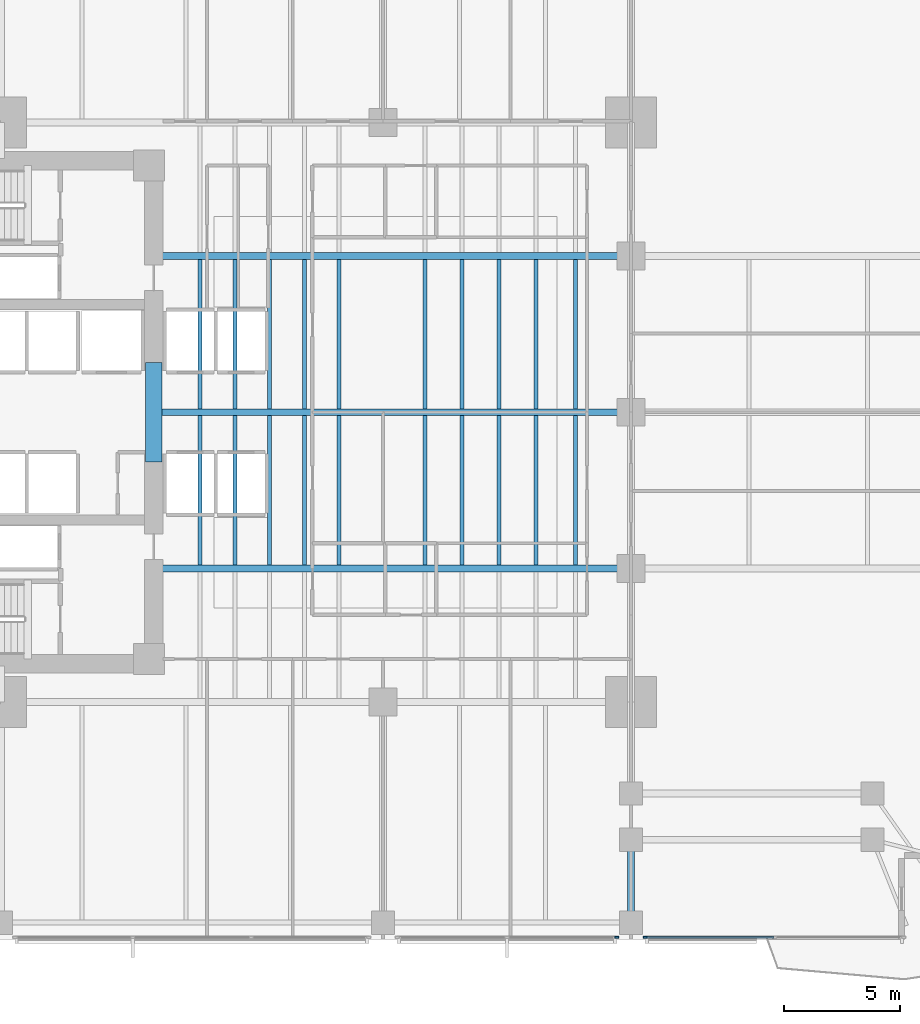
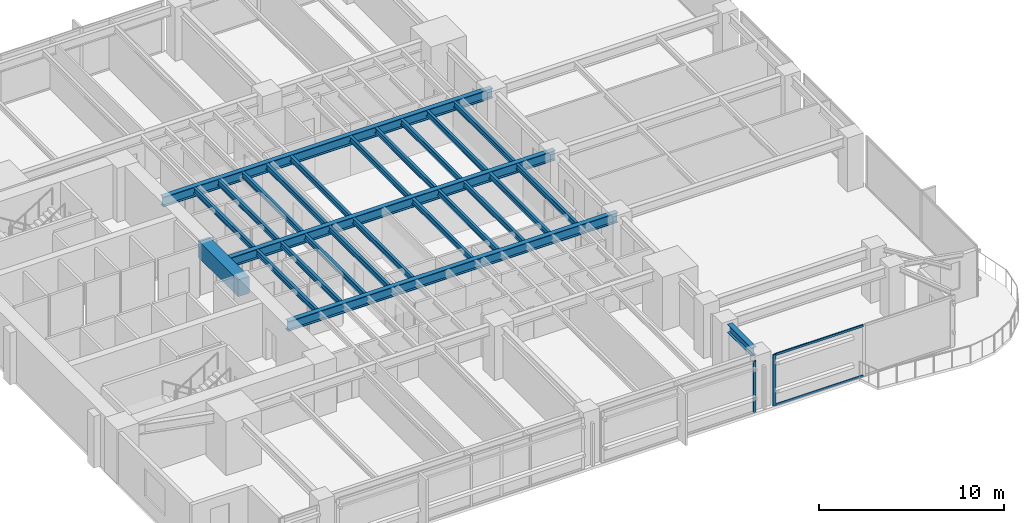
# One storey, part 3 of 15: 25 beams, 4 members, 2 elements without a shape of their own.
"""IFC4 building model written with IfcOpenShell, lengths in metres."""

from ifc_helpers import new_model, si_unit, direction, frame, origin, origin_2d, place, context, subcontext, project, spatial, rectangle, i_section, extrude, material, layer, layer_set, material_profile, profile_set, type_object, element, aggregate, save


model = new_model("IFC4")

# Units and contexts
model_context = context("Model", 3, precision=1e-05, world=origin(), true_north=direction((0.0, 1.0)))
body_context = subcontext(model_context, "Body", "Model", "MODEL_VIEW")
ifc_project = project(units=[si_unit("LENGTHUNIT", "METRE"), si_unit("AREAUNIT", "SQUARE_METRE"), si_unit("VOLUMEUNIT", "CUBIC_METRE"), si_unit("PLANEANGLEUNIT", "RADIAN"), si_unit("MASSUNIT", "GRAM", prefix="KILO")], contexts=[model_context])

# Site, building, storey
site_placement = place(None, origin())
site = spatial("IfcSite", under=ifc_project, at=site_placement, CompositionType="ELEMENT")
building_placement = place(site_placement, origin())
building = spatial("IfcBuilding", under=site, at=building_placement, Name="Kinhvarn Gate Tower", CompositionType="ELEMENT")
storey_placement = place(building_placement, frame((0.0, 0.0, 57.550048828125)))
storey = spatial("IfcBuildingStorey", under=building, at=storey_placement, Name="L14", CompositionType="ELEMENT", Elevation=57.550048828125)

# Beam
ifc_material_1 = material(Name="Concrete C70/85", Category="concrete")
ifc_material_profile_1 = material_profile(ifc_material_1, rectangle(XDim=0.699951171875, YDim=1.10009765625, at=origin_2d()), Name="RC 700x1100")
ifc_profile_set_1 = profile_set([ifc_material_profile_1], Name="Concrete C70/85")
beam_type_1 = type_object("IfcBeamType", Name="BM-CB-1100", PredefinedType="LINTEL", material=ifc_profile_set_1)
beam_1_placement = place(storey_placement, frame((17.60009765625, 23.10009765625, 2.820068359375), z_axis=(0.0, 1.0, 0.0), x_axis=(-1.0, 0.0, 0.0)))
element("IfcBeam", 1, at=beam_1_placement, inside=storey, type_object=beam_type_1, Name="Core East Portal Coupling Beam L14", PredefinedType="LINTEL", context=body_context, shape_type="SweptSolid", body=[
    extrude(rectangle(XDim=0.699951171875, YDim=1.10009765625, at=origin_2d()), origin(), (0.0, 0.0, 1.0), 4.2998046875),
])

# Curtain wall, member
ifc_material_2 = material(Name="Anodised aluminium AW-6063", Category="aluminium")
ifc_layer = layer(ifc_material_2, 0.179931640625)
ifc_layer_set = layer_set([ifc_layer], Name="Anodised aluminium AW-6063")
curtain_wall_type = type_object("IfcCurtainWallType", Name="CW-SYS-2", PredefinedType="NOTDEFINED", material=ifc_layer_set)
curtain_wall_1_placement = place(storey_placement, origin())
curtain_wall_1 = element("IfcCurtainWall", 2, at=curtain_wall_1_placement, inside=storey, type_object=curtain_wall_type, Name="Curtain Wall CW2 (L14)", PredefinedType="NOTDEFINED")
ifc_material_profile_2 = material_profile(ifc_material_2, rectangle(XDim=0.070068359375, YDim=0.179931640625, at=origin_2d()), Name="ALU 70x180")
ifc_profile_set_2 = profile_set([ifc_material_profile_2], Name="Anodised aluminium AW-6063")
member_type_1 = type_object("IfcMemberType", Name="CW-MUL-180", PredefinedType="MULLION", material=ifc_profile_set_2)
member_1_placement = place(storey_placement, frame((37.5849609375, 2.590087890625, 0.0), z_axis=(0.0, 0.0, 1.0), x_axis=(0.0, 1.0, 0.0)))
member_1 = element("IfcMember", 3, at=member_1_placement, type_object=member_type_1, Name="CW2 mullion 3", PredefinedType="MULLION", context=body_context, shape_type="SweptSolid", body=[
    extrude(rectangle(XDim=0.070068359375, YDim=0.179931640625, at=origin_2d()), origin(), (0.0, 0.0, 1.0), 3.369873046875),
])
aggregate(curtain_wall_1, [member_1])

# Curtain wall, members
curtain_wall_2_placement = place(storey_placement, origin())
curtain_wall_2 = element("IfcCurtainWall", 4, at=curtain_wall_2_placement, inside=storey, type_object=curtain_wall_type, Name="Curtain Wall CW2 (L14)", PredefinedType="NOTDEFINED")
member_2_placement = place(storey_placement, frame((38.81494140625, 2.590087890625, 0.0), z_axis=(0.0, 0.0, 1.0), x_axis=(0.0, 1.0, 0.0)))
member_2 = element("IfcMember", 5, at=member_2_placement, type_object=member_type_1, Name="CW2 mullion 1", PredefinedType="MULLION", context=body_context, shape_type="SweptSolid", body=[
    extrude(rectangle(XDim=0.070068359375, YDim=0.179931640625, at=origin_2d()), origin(), (0.0, 0.0, 1.0), 3.369873046875),
])
ifc_material_profile_3 = material_profile(ifc_material_2, rectangle(XDim=0.070068359375, YDim=0.139892578125, at=origin_2d()), Name="ALU 70x140")
ifc_profile_set_3 = profile_set([ifc_material_profile_3], Name="Anodised aluminium AW-6063")
member_type_2 = type_object("IfcMemberType", Name="CW-TRN-140", PredefinedType="USERDEFINED", material=ifc_profile_set_3)
member_3_placement = place(storey_placement, frame((38.85009765625, 2.590087890625, 0.034912109375), z_axis=(1.0, 0.0, 0.0), x_axis=(0.0, 1.0, 0.0)))
member_3 = element("IfcMember", 6, at=member_3_placement, type_object=member_type_2, Name="CW2 transom 1.1", ObjectType="TRANSOM", PredefinedType="USERDEFINED", context=body_context, shape_type="SweptSolid", body=[
    extrude(rectangle(XDim=0.070068359375, YDim=0.139892578125, at=origin_2d()), origin(), (0.0, 0.0, 1.0), 5.5048828125),
])
member_4_placement = place(storey_placement, frame((38.85009765625, 2.590087890625, 3.3349609375), z_axis=(1.0, 0.0, 0.0), x_axis=(0.0, 1.0, 0.0)))
member_4 = element("IfcMember", 7, at=member_4_placement, type_object=member_type_2, Name="CW2 transom 1.2", ObjectType="TRANSOM", PredefinedType="USERDEFINED", context=body_context, shape_type="SweptSolid", body=[
    extrude(rectangle(XDim=0.070068359375, YDim=0.139892578125, at=origin_2d()), origin(), (0.0, 0.0, 1.0), 5.5048828125),
])
aggregate(curtain_wall_2, [member_2, member_3, member_4])

# Beams
ifc_material_3 = material(Name="Steel S355", Category="steel")
ifc_material_profile_4 = material_profile(ifc_material_3, i_section(OverallWidth=0.300048828125, OverallDepth=0.550048828125, WebThickness=0.014892578125, FlangeThickness=0.029052734375, at=origin_2d()), Name="HEB 550")
ifc_profile_set_4 = profile_set([ifc_material_profile_4], Name="Steel S355")
beam_type_2 = type_object("IfcBeamType", Name="STL-HEB550", PredefinedType="BEAM", material=ifc_profile_set_4)
beam_2_placement = place(storey_placement, frame((38.199951171875, 3.705078125, 3.094970703125), z_axis=(0.0, 1.0, 0.0), x_axis=(-1.0, 0.0, 0.0)))
element("IfcBeam", 8, at=beam_2_placement, inside=storey, type_object=beam_type_2, Name="Floor Beam PG-15 (L14 MCE-S-A0)", PredefinedType="BEAM", context=body_context, shape_type="SweptSolid", body=[
    extrude(i_section(OverallWidth=0.300048828125, OverallDepth=0.550048828125, WebThickness=0.014892578125, FlangeThickness=0.029052734375, at=origin_2d()), origin(), (0.0, 0.0, 1.0), 2.60986328125),
])
ifc_material_profile_5 = material_profile(ifc_material_3, i_section(OverallWidth=0.300048828125, OverallDepth=0.64990234375, WebThickness=0.01611328125, FlangeThickness=0.031005859375, at=origin_2d()), Name="HEB 650")
ifc_profile_set_5 = profile_set([ifc_material_profile_5], Name="Steel S355")
beam_type_3 = type_object("IfcBeamType", Name="STL-HEB650", PredefinedType="BEAM", material=ifc_profile_set_5)
beam_3_placement = place(storey_placement, frame((17.64990234375, 18.5, 3.044921875), z_axis=(1.0, 0.0, 0.0), x_axis=(0.0, 1.0, 0.0)))
element("IfcBeam", 9, at=beam_3_placement, inside=storey, type_object=beam_type_3, Name="Floor Beam PG-17 (L14 EW1-Y18)", PredefinedType="BEAM", context=body_context, shape_type="SweptSolid", body=[
    extrude(i_section(OverallWidth=0.300048828125, OverallDepth=0.64990234375, WebThickness=0.01611328125, FlangeThickness=0.031005859375, at=origin_2d()), origin(), (0.0, 0.0, 1.0), 20.550048828125),
])
beam_4_placement = place(storey_placement, frame((17.949951171875, 25.25, 3.044921875), z_axis=(1.0, 0.0, 0.0), x_axis=(0.0, 1.0, 0.0)))
element("IfcBeam", 10, at=beam_4_placement, inside=storey, type_object=beam_type_3, Name="Floor Beam PG-17 (L14 EW1-Y25)", PredefinedType="BEAM", context=body_context, shape_type="SweptSolid", body=[
    extrude(i_section(OverallWidth=0.300048828125, OverallDepth=0.64990234375, WebThickness=0.01611328125, FlangeThickness=0.031005859375, at=origin_2d()), origin(), (0.0, 0.0, 1.0), 20.25),
])
beam_5_placement = place(storey_placement, frame((17.64990234375, 32.0, 3.044921875), z_axis=(1.0, 0.0, 0.0), x_axis=(0.0, 1.0, 0.0)))
element("IfcBeam", 11, at=beam_5_placement, inside=storey, type_object=beam_type_3, Name="Floor Beam PG-17 (L14 EW1-Y32)", PredefinedType="BEAM", context=body_context, shape_type="SweptSolid", body=[
    extrude(i_section(OverallWidth=0.300048828125, OverallDepth=0.64990234375, WebThickness=0.01611328125, FlangeThickness=0.031005859375, at=origin_2d()), origin(), (0.0, 0.0, 1.0), 20.550048828125),
])
ifc_material_profile_6 = material_profile(ifc_material_3, i_section(OverallWidth=0.169921875, OverallDepth=0.360107421875, WebThickness=0.008056640625, FlangeThickness=0.0126953125, at=origin_2d()), Name="IPE 360")
ifc_profile_set_6 = profile_set([ifc_material_profile_6], Name="Steel S355")
beam_type_4 = type_object("IfcBeamType", Name="STL-IPE360", PredefinedType="JOIST", material=ifc_profile_set_6)
for number, where, z_axis, x_axis, name in (
    (12, (19.60009765625, 18.64990234375, 3.18994140625), (0.0, 1.0, 0.0), (-1.0, 0.0, 0.0), "Floor Joist SB-04 (L14 JC-X196-1)"),
    (13, (19.60009765625, 25.39990234375, 3.18994140625), (0.0, 1.0, 0.0), (-1.0, 0.0, 0.0), "Floor Joist SB-04 (L14 JC-X196-2)"),
    (14, (21.10009765625, 18.64990234375, 3.18994140625), (0.0, 1.0, 0.0), (-1.0, 0.0, 0.0), "Floor Joist SB-04 (L14 JC-X211-1)"),
    (15, (21.10009765625, 25.39990234375, 3.18994140625), (0.0, 1.0, 0.0), (-1.0, 0.0, 0.0), "Floor Joist SB-04 (L14 JC-X211-2)"),
    (16, (22.60009765625, 18.64990234375, 3.18994140625), (0.0, 1.0, 0.0), (-1.0, 0.0, 0.0), "Floor Joist SB-04 (L14 JC-X226-1)"),
    (17, (22.60009765625, 25.39990234375, 3.18994140625), (0.0, 1.0, 0.0), (-1.0, 0.0, 0.0), "Floor Joist SB-04 (L14 JC-X226-2)"),
    (18, (24.10009765625, 18.64990234375, 3.18994140625), (0.0, 1.0, 0.0), (-1.0, 0.0, 0.0), "Floor Joist SB-04 (L14 JC-X241-1)"),
    (19, (24.10009765625, 25.39990234375, 3.18994140625), (0.0, 1.0, 0.0), (-1.0, 0.0, 0.0), "Floor Joist SB-04 (L14 JC-X241-2)"),
    (20, (25.60009765625, 18.64990234375, 3.18994140625), (0.0, 1.0, 0.0), (-1.0, 0.0, 0.0), "Floor Joist SB-04 (L14 JC-X256-1)"),
    (21, (25.60009765625, 25.39990234375, 3.18994140625), (0.0, 1.0, 0.0), (-1.0, 0.0, 0.0), "Floor Joist SB-04 (L14 JC-X256-2)"),
    (22, (29.300048828125, 18.64990234375, 3.18994140625), (0.0, 1.0, 0.0), (-1.0, 0.0, 0.0), "Floor Joist SB-04 (L14 JC-X293-1)"),
    (23, (29.300048828125, 25.39990234375, 3.18994140625), (0.0, 1.0, 0.0), (-1.0, 0.0, 0.0), "Floor Joist SB-04 (L14 JC-X293-2)"),
    (24, (30.89990234375, 18.64990234375, 3.18994140625), (0.0, 1.0, 0.0), (-1.0, 0.0, 0.0), "Floor Joist SB-04 (L14 JC-X309-1)"),
    (25, (30.89990234375, 25.39990234375, 3.18994140625), (0.0, 1.0, 0.0), (-1.0, 0.0, 0.0), "Floor Joist SB-04 (L14 JC-X309-2)"),
    (26, (32.5, 18.64990234375, 3.18994140625), (0.0, 1.0, 0.0), (-1.0, 0.0, 0.0), "Floor Joist SB-04 (L14 JC-X325-1)"),
    (27, (32.5, 25.39990234375, 3.18994140625), (0.0, 1.0, 0.0), (-1.0, 0.0, 0.0), "Floor Joist SB-04 (L14 JC-X325-2)"),
    (28, (34.10009765625, 18.64990234375, 3.18994140625), (0.0, 1.0, 0.0), (-1.0, 0.0, 0.0), "Floor Joist SB-04 (L14 JC-X341-1)"),
    (29, (34.10009765625, 25.39990234375, 3.18994140625), (0.0, 1.0, 0.0), (-1.0, 0.0, 0.0), "Floor Joist SB-04 (L14 JC-X341-2)"),
    (30, (35.800048828125, 18.64990234375, 3.18994140625), (0.0, 1.0, 0.0), (-1.0, 0.0, 0.0), "Floor Joist SB-04 (L14 JC-X358-1)"),
    (31, (35.800048828125, 25.39990234375, 3.18994140625), (0.0, 1.0, 0.0), (-1.0, 0.0, 0.0), "Floor Joist SB-04 (L14 JC-X358-2)"),
):
    element("IfcBeam", number, at=place(storey_placement, frame(where, z_axis=z_axis, x_axis=x_axis)), inside=storey, type_object=beam_type_4, Name=name, PredefinedType="JOIST", context=body_context, shape_type="SweptSolid", body=[
        extrude(i_section(OverallWidth=0.169921875, OverallDepth=0.360107421875, WebThickness=0.008056640625, FlangeThickness=0.0126953125, at=origin_2d()), origin(), (0.0, 0.0, 1.0), 6.4501953125),
    ])

save(model, "model.ifc")
